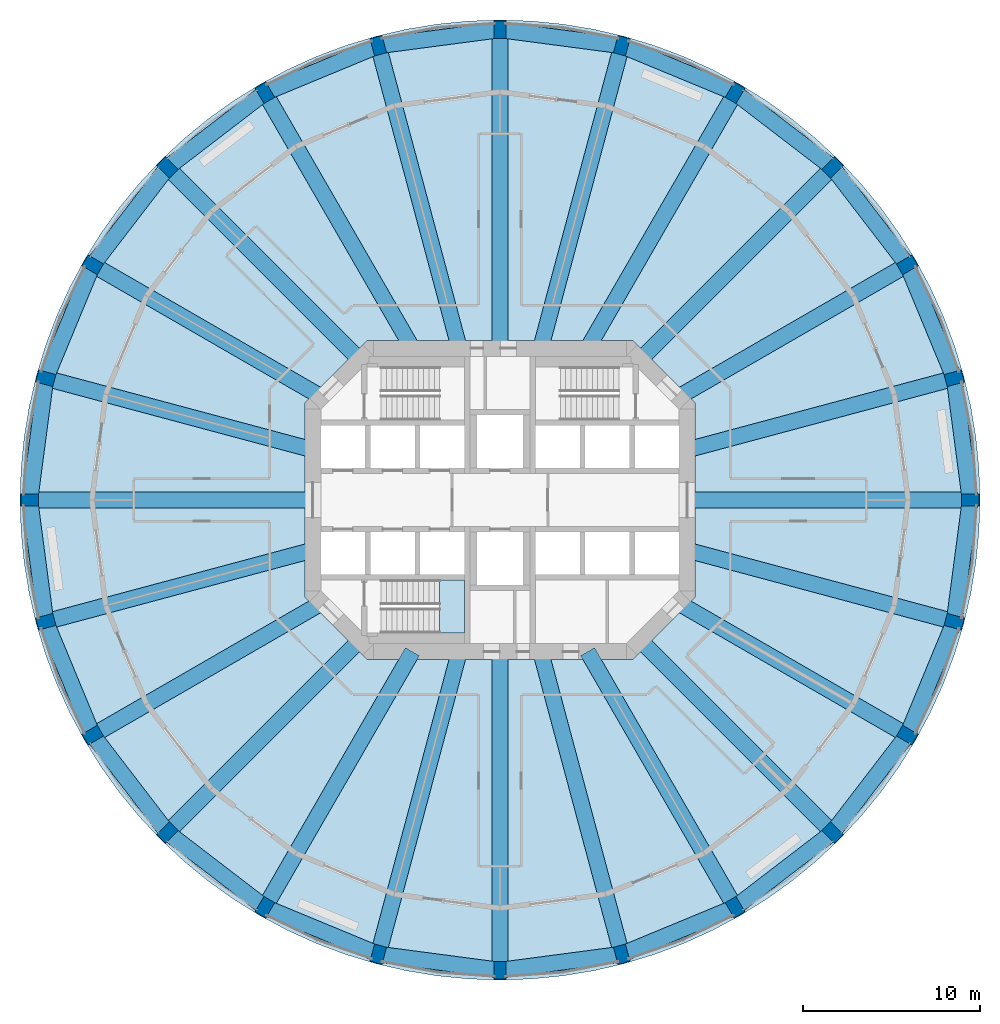
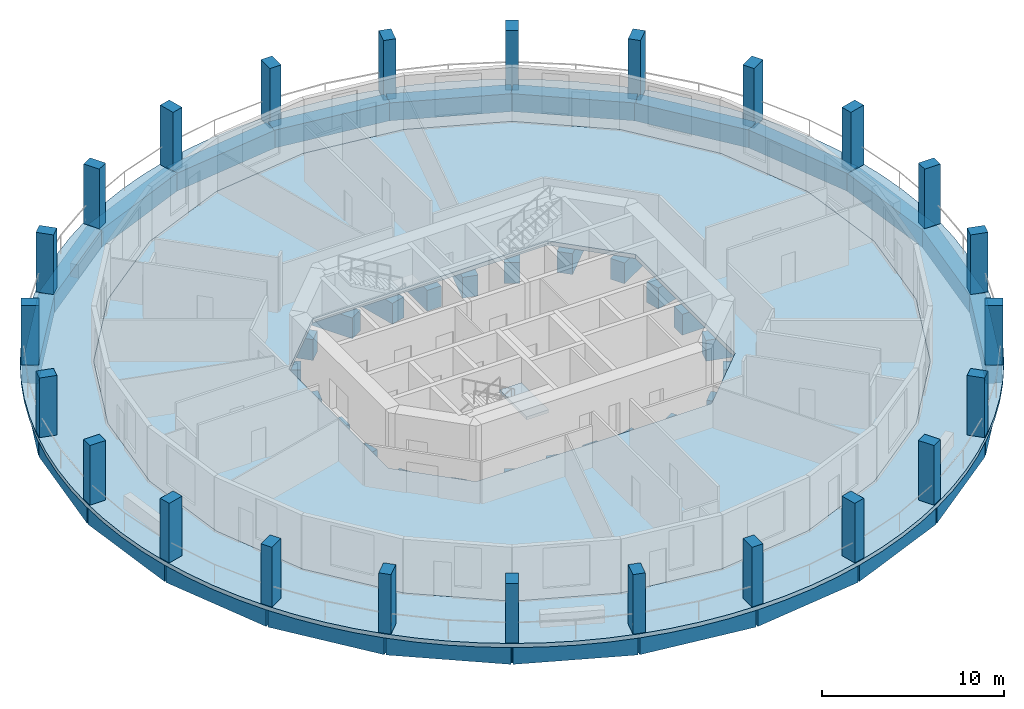
# One storey, part 1 of 9: 48 beams, 24 columns, 3 slabs, 1 element without a shape of its own.
"""IFC4 building model written with IfcOpenShell, lengths in metres."""

from ifc_helpers import new_model, si_unit, direction, frame, origin, origin_2d, place, context, subcontext, project, spatial, polyline, rectangle, outline, extrude, material, layer, layer_set, material_profile, profile_set, type_object, element, aggregate, save


model = new_model("IFC4")

# Units and contexts
model_context = context("Model", 3, precision=1e-05, world=origin(), true_north=direction((0.0, 1.0)))
body_context = subcontext(model_context, "Body", "Model", "MODEL_VIEW")
ifc_project = project(units=[si_unit("LENGTHUNIT", "METRE"), si_unit("AREAUNIT", "SQUARE_METRE"), si_unit("VOLUMEUNIT", "CUBIC_METRE"), si_unit("PLANEANGLEUNIT", "RADIAN"), si_unit("MASSUNIT", "GRAM", prefix="KILO")], contexts=[model_context])

# Site, building, storey
site_placement = place(None, origin())
site = spatial("IfcSite", under=ifc_project, at=site_placement, CompositionType="ELEMENT")
building_placement = place(site_placement, origin())
building = spatial("IfcBuilding", under=site, at=building_placement, Name="Torre Triforio", CompositionType="ELEMENT")
storey_placement = place(building_placement, frame((0.0, 0.0, 27.0)))
storey = spatial("IfcBuildingStorey", under=building, at=storey_placement, Name="L04", CompositionType="ELEMENT", Elevation=27.0)

# Columns
ifc_material_1 = material(Name="Concrete C70", Category="concrete")
ifc_material_profile_1 = material_profile(ifc_material_1, rectangle(XDim=0.699951171875, YDim=1.0, at=origin_2d()), Name="RC 700x1000")
ifc_profile_set_1 = profile_set([ifc_material_profile_1], Name="Concrete C70")
column_type = type_object("IfcColumnType", Name="Pier RC 700x1000 C70", PredefinedType="COLUMN", material=ifc_profile_set_1)
for number, where, z_axis, x_axis, name in (
    (1, (26.5, 0.0, 0.0), (0.0, 0.0, 1.0), (0.0, 1.0, 0.0), "COL.R.L04.00"),
    (2, (25.596923828125, 6.858642578125, 0.0), (0.0, 0.0, 1.0), (-0.258819045103, 0.965925826289, 0.0), "COL.R.L04.01"),
    (3, (22.94970703125, 13.25, 0.0), (0.0, 0.0, 1.0), (-0.5, 0.866025403784, 0.0), "COL.R.L04.02"),
    (4, (18.73828125, 18.73828125, 0.0), (0.0, 0.0, 1.0), (-0.707106781187, 0.707106781187, 0.0), "COL.R.L04.03"),
    (5, (13.25, 22.94970703125, 0.0), (0.0, 0.0, 1.0), (-0.866025403784, 0.5, 0.0), "COL.R.L04.04"),
    (6, (6.858642578125, 25.596923828125, 0.0), (0.0, 0.0, 1.0), (-0.965925826289, 0.258819045103, 0.0), "COL.R.L04.05"),
    (7, (0.0, 26.5, 0.0), (0.0, 0.0, 1.0), (-1.0, 0.0, 0.0), "COL.R.L04.06"),
    (8, (-6.858642578125, 25.596923828125, 0.0), (0.0, 0.0, 1.0), (-0.965925826289, -0.258819045103, 0.0), "COL.R.L04.07"),
    (9, (-13.25, 22.94970703125, 0.0), (0.0, 0.0, 1.0), (-0.866025403784, -0.5, 0.0), "COL.R.L04.08"),
    (10, (-18.73828125, 18.73828125, 0.0), (0.0, 0.0, 1.0), (-0.707106781187, -0.707106781187, 0.0), "COL.R.L04.09"),
    (11, (-22.94970703125, 13.25, 0.0), (0.0, 0.0, 1.0), (-0.5, -0.866025403784, 0.0), "COL.R.L04.10"),
    (12, (-25.596923828125, 6.858642578125, 0.0), (0.0, 0.0, 1.0), (-0.258819045103, -0.965925826289, 0.0), "COL.R.L04.11"),
    (13, (-26.5, 0.0, 0.0), (0.0, 0.0, 1.0), (0.0, -1.0, 0.0), "COL.R.L04.12"),
    (14, (-25.596923828125, -6.858642578125, 0.0), (0.0, 0.0, 1.0), (0.258819045103, -0.965925826289, 0.0), "COL.R.L04.13"),
    (15, (-22.94970703125, -13.25, 0.0), (0.0, 0.0, 1.0), (0.5, -0.866025403784, 0.0), "COL.R.L04.14"),
    (16, (-18.73828125, -18.73828125, 0.0), (0.0, 0.0, 1.0), (0.707106781187, -0.707106781187, 0.0), "COL.R.L04.15"),
    (17, (-13.25, -22.94970703125, 0.0), (0.0, 0.0, 1.0), (0.866025403784, -0.5, 0.0), "COL.R.L04.16"),
    (18, (-6.858642578125, -25.596923828125, 0.0), (0.0, 0.0, 1.0), (0.965925826289, -0.258819045103, 0.0), "COL.R.L04.17"),
    (19, (0.0, -26.5, 0.0), (0.0, 0.0, 1.0), (1.0, 0.0, 0.0), "COL.R.L04.18"),
    (20, (6.858642578125, -25.596923828125, 0.0), (0.0, 0.0, 1.0), (0.965925826289, 0.258819045103, 0.0), "COL.R.L04.19"),
    (21, (13.25, -22.94970703125, 0.0), (0.0, 0.0, 1.0), (0.866025403784, 0.5, 0.0), "COL.R.L04.20"),
    (22, (18.73828125, -18.73828125, 0.0), (0.0, 0.0, 1.0), (0.707106781187, 0.707106781187, 0.0), "COL.R.L04.21"),
    (23, (22.94970703125, -13.25, 0.0), (0.0, 0.0, 1.0), (0.5, 0.866025403784, 0.0), "COL.R.L04.22"),
    (24, (25.596923828125, -6.858642578125, 0.0), (0.0, 0.0, 1.0), (0.258819045103, 0.965925826289, 0.0), "COL.R.L04.23"),
):
    element("IfcColumn", number, at=place(storey_placement, frame(where, z_axis=z_axis, x_axis=x_axis)), inside=storey, type_object=column_type, Name=name, PredefinedType="COLUMN", context=body_context, shape_type="SweptSolid", body=[
        extrude(rectangle(XDim=0.699951171875, YDim=1.0, at=origin_2d()), origin(), (0.0, 0.0, 1.0), 4.0),
    ])

# Beams
ifc_material_2 = material(Name="Concrete C50", Category="concrete")
ifc_material_profile_2 = material_profile(ifc_material_2, rectangle(XDim=0.89990234375, YDim=1.39990234375, at=origin_2d()), Name="RC 900x1400")
ifc_profile_set_2 = profile_set([ifc_material_profile_2], Name="Concrete C50")
beam_type_1 = type_object("IfcBeamType", Name="Radial beam RC 900x1400 C50", PredefinedType="BEAM", material=ifc_profile_set_2)
beam_1_placement = place(storey_placement, frame((10.550048828125, 0.0, -0.97998046875), z_axis=(1.0, 0.0, 0.0), x_axis=(0.0, 1.0, 0.0)))
element("IfcBeam", 25, at=beam_1_placement, inside=storey, type_object=beam_type_1, Name="BM.R.L04.00", PredefinedType="BEAM", context=body_context, shape_type="SweptSolid", body=[
    extrude(rectangle(XDim=0.89990234375, YDim=1.39990234375, at=origin_2d()), origin(), (0.0, 0.0, 1.0), 15.949951171875),
])
beam_2_placement = place(storey_placement, frame((10.550048828125, 2.826904296875, -0.97998046875), z_axis=(0.965926784764, 0.258815467997, 0.0), x_axis=(-0.258815467997, 0.965926784764, 0.0)))
element("IfcBeam", 26, at=beam_2_placement, inside=storey, type_object=beam_type_1, Name="BM.R.L04.01", PredefinedType="BEAM", context=body_context, shape_type="SweptSolid", body=[
    extrude(rectangle(XDim=0.89990234375, YDim=1.39990234375, at=origin_2d()), origin(), (0.0, 0.0, 1.0), 15.57763671875),
])
beam_3_placement = place(storey_placement, frame((10.039794921875, 5.796630859375, -0.97998046875), z_axis=(0.866030402573, 0.499991341745, 0.0), x_axis=(-0.499991341745, 0.866030402573, 0.0)))
element("IfcBeam", 27, at=beam_3_placement, inside=storey, type_object=beam_type_1, Name="BM.R.L04.02", PredefinedType="BEAM", context=body_context, shape_type="SweptSolid", body=[
    extrude(rectangle(XDim=0.89990234375, YDim=1.39990234375, at=origin_2d()), origin(), (0.0, 0.0, 1.0), 14.906982421875),
])
beam_4_placement = place(storey_placement, frame((7.918212890625, 7.918212890625, -0.97998046875), z_axis=(0.707106781187, 0.707106781187, 0.0), x_axis=(-0.707106781187, 0.707106781187, 0.0)))
element("IfcBeam", 28, at=beam_4_placement, inside=storey, type_object=beam_type_1, Name="BM.R.L04.03", PredefinedType="BEAM", context=body_context, shape_type="SweptSolid", body=[
    extrude(rectangle(XDim=0.89990234375, YDim=1.39990234375, at=origin_2d()), origin(), (0.0, 0.0, 1.0), 15.302001953125),
])
beam_5_placement = place(storey_placement, frame((4.936279296875, 8.550048828125, -0.97998046875), z_axis=(0.500003345241, 0.8660234724, 0.0), x_axis=(-0.8660234724, 0.500003345241, 0.0)))
element("IfcBeam", 29, at=beam_5_placement, inside=storey, type_object=beam_type_1, Name="BM.R.L04.04", PredefinedType="BEAM", context=body_context, shape_type="SweptSolid", body=[
    extrude(rectangle(XDim=0.89990234375, YDim=1.39990234375, at=origin_2d()), origin(), (0.0, 0.0, 1.0), 16.62744140625),
])
beam_6_placement = place(storey_placement, frame((2.291015625, 8.550048828125, -0.97998046875), z_axis=(0.258815374176, 0.965926809903, 0.0), x_axis=(-0.965926809903, 0.258815374176, 0.0)))
element("IfcBeam", 30, at=beam_6_placement, inside=storey, type_object=beam_type_1, Name="BM.R.L04.05", PredefinedType="BEAM", context=body_context, shape_type="SweptSolid", body=[
    extrude(rectangle(XDim=0.89990234375, YDim=1.39990234375, at=origin_2d()), origin(), (0.0, 0.0, 1.0), 17.648193359375),
])
beam_7_placement = place(storey_placement, frame((0.0, 8.550048828125, -0.97998046875), z_axis=(0.0, 1.0, 0.0), x_axis=(-1.0, 0.0, 0.0)))
element("IfcBeam", 31, at=beam_7_placement, inside=storey, type_object=beam_type_1, Name="BM.R.L04.06", PredefinedType="BEAM", context=body_context, shape_type="SweptSolid", body=[
    extrude(rectangle(XDim=0.89990234375, YDim=1.39990234375, at=origin_2d()), origin(), (0.0, 0.0, 1.0), 17.949951171875),
])
beam_8_placement = place(storey_placement, frame((-2.291015625, 8.550048828125, -0.97998046875), z_axis=(-0.258815374176, 0.965926809903, 0.0), x_axis=(-0.965926809903, -0.258815374176, 0.0)))
element("IfcBeam", 32, at=beam_8_placement, inside=storey, type_object=beam_type_1, Name="BM.R.L04.07", PredefinedType="BEAM", context=body_context, shape_type="SweptSolid", body=[
    extrude(rectangle(XDim=0.89990234375, YDim=1.39990234375, at=origin_2d()), origin(), (0.0, 0.0, 1.0), 17.648193359375),
])
beam_9_placement = place(storey_placement, frame((-4.936279296875, 8.550048828125, -0.97998046875), z_axis=(-0.500003345241, 0.8660234724, 0.0), x_axis=(-0.8660234724, -0.500003345241, 0.0)))
element("IfcBeam", 33, at=beam_9_placement, inside=storey, type_object=beam_type_1, Name="BM.R.L04.08", PredefinedType="BEAM", context=body_context, shape_type="SweptSolid", body=[
    extrude(rectangle(XDim=0.89990234375, YDim=1.39990234375, at=origin_2d()), origin(), (0.0, 0.0, 1.0), 16.62744140625),
])
beam_10_placement = place(storey_placement, frame((-7.918212890625, 7.918212890625, -0.97998046875), z_axis=(-0.707106781187, 0.707106781187, 0.0), x_axis=(-0.707106781187, -0.707106781187, 0.0)))
element("IfcBeam", 34, at=beam_10_placement, inside=storey, type_object=beam_type_1, Name="BM.R.L04.09", PredefinedType="BEAM", context=body_context, shape_type="SweptSolid", body=[
    extrude(rectangle(XDim=0.89990234375, YDim=1.39990234375, at=origin_2d()), origin(), (0.0, 0.0, 1.0), 15.302001953125),
])
beam_11_placement = place(storey_placement, frame((-10.039794921875, 5.796630859375, -0.97998046875), z_axis=(-0.866030402573, 0.499991341745, 0.0), x_axis=(-0.499991341745, -0.866030402573, 0.0)))
element("IfcBeam", 35, at=beam_11_placement, inside=storey, type_object=beam_type_1, Name="BM.R.L04.10", PredefinedType="BEAM", context=body_context, shape_type="SweptSolid", body=[
    extrude(rectangle(XDim=0.89990234375, YDim=1.39990234375, at=origin_2d()), origin(), (0.0, 0.0, 1.0), 14.906982421875),
])
beam_12_placement = place(storey_placement, frame((-10.550048828125, 2.826904296875, -0.97998046875), z_axis=(-0.965926784764, 0.258815467997, 0.0), x_axis=(-0.258815467997, -0.965926784764, 0.0)))
element("IfcBeam", 36, at=beam_12_placement, inside=storey, type_object=beam_type_1, Name="BM.R.L04.11", PredefinedType="BEAM", context=body_context, shape_type="SweptSolid", body=[
    extrude(rectangle(XDim=0.89990234375, YDim=1.39990234375, at=origin_2d()), origin(), (0.0, 0.0, 1.0), 15.57763671875),
])
beam_13_placement = place(storey_placement, frame((-10.550048828125, 0.0, -0.97998046875), z_axis=(-1.0, 0.0, 0.0), x_axis=(0.0, -1.0, 0.0)))
element("IfcBeam", 37, at=beam_13_placement, inside=storey, type_object=beam_type_1, Name="BM.R.L04.12", PredefinedType="BEAM", context=body_context, shape_type="SweptSolid", body=[
    extrude(rectangle(XDim=0.89990234375, YDim=1.39990234375, at=origin_2d()), origin(), (0.0, 0.0, 1.0), 15.949951171875),
])
beam_14_placement = place(storey_placement, frame((-10.550048828125, -2.826904296875, -0.97998046875), z_axis=(-0.965926784764, -0.258815467997, 0.0), x_axis=(0.258815467997, -0.965926784764, 0.0)))
element("IfcBeam", 38, at=beam_14_placement, inside=storey, type_object=beam_type_1, Name="BM.R.L04.13", PredefinedType="BEAM", context=body_context, shape_type="SweptSolid", body=[
    extrude(rectangle(XDim=0.89990234375, YDim=1.39990234375, at=origin_2d()), origin(), (0.0, 0.0, 1.0), 15.57763671875),
])
beam_15_placement = place(storey_placement, frame((-10.039794921875, -5.796630859375, -0.97998046875), z_axis=(-0.866030402573, -0.499991341745, 0.0), x_axis=(0.499991341745, -0.866030402573, 0.0)))
element("IfcBeam", 39, at=beam_15_placement, inside=storey, type_object=beam_type_1, Name="BM.R.L04.14", PredefinedType="BEAM", context=body_context, shape_type="SweptSolid", body=[
    extrude(rectangle(XDim=0.89990234375, YDim=1.39990234375, at=origin_2d()), origin(), (0.0, 0.0, 1.0), 14.906982421875),
])
beam_16_placement = place(storey_placement, frame((-7.918212890625, -7.918212890625, -0.97998046875), z_axis=(-0.707106781187, -0.707106781187, 0.0), x_axis=(0.707106781187, -0.707106781187, 0.0)))
element("IfcBeam", 40, at=beam_16_placement, inside=storey, type_object=beam_type_1, Name="BM.R.L04.15", PredefinedType="BEAM", context=body_context, shape_type="SweptSolid", body=[
    extrude(rectangle(XDim=0.89990234375, YDim=1.39990234375, at=origin_2d()), origin(), (0.0, 0.0, 1.0), 15.302001953125),
])
beam_17_placement = place(storey_placement, frame((-4.936279296875, -8.550048828125, -0.97998046875), z_axis=(-0.500003345241, -0.8660234724, 0.0), x_axis=(0.8660234724, -0.500003345241, 0.0)))
element("IfcBeam", 41, at=beam_17_placement, inside=storey, type_object=beam_type_1, Name="BM.R.L04.16", PredefinedType="BEAM", context=body_context, shape_type="SweptSolid", body=[
    extrude(rectangle(XDim=0.89990234375, YDim=1.39990234375, at=origin_2d()), origin(), (0.0, 0.0, 1.0), 16.62744140625),
])
beam_18_placement = place(storey_placement, frame((-2.291015625, -8.550048828125, -0.97998046875), z_axis=(-0.258815374176, -0.965926809903, 0.0), x_axis=(0.965926809903, -0.258815374176, 0.0)))
element("IfcBeam", 42, at=beam_18_placement, inside=storey, type_object=beam_type_1, Name="BM.R.L04.17", PredefinedType="BEAM", context=body_context, shape_type="SweptSolid", body=[
    extrude(rectangle(XDim=0.89990234375, YDim=1.39990234375, at=origin_2d()), origin(), (0.0, 0.0, 1.0), 17.648193359375),
])
beam_19_placement = place(storey_placement, frame((0.0, -8.550048828125, -0.97998046875), z_axis=(0.0, -1.0, 0.0), x_axis=(1.0, 0.0, 0.0)))
element("IfcBeam", 43, at=beam_19_placement, inside=storey, type_object=beam_type_1, Name="BM.R.L04.18", PredefinedType="BEAM", context=body_context, shape_type="SweptSolid", body=[
    extrude(rectangle(XDim=0.89990234375, YDim=1.39990234375, at=origin_2d()), origin(), (0.0, 0.0, 1.0), 17.949951171875),
])
beam_20_placement = place(storey_placement, frame((2.291015625, -8.550048828125, -0.97998046875), z_axis=(0.258815374176, -0.965926809903, 0.0), x_axis=(0.965926809903, 0.258815374176, 0.0)))
element("IfcBeam", 44, at=beam_20_placement, inside=storey, type_object=beam_type_1, Name="BM.R.L04.19", PredefinedType="BEAM", context=body_context, shape_type="SweptSolid", body=[
    extrude(rectangle(XDim=0.89990234375, YDim=1.39990234375, at=origin_2d()), origin(), (0.0, 0.0, 1.0), 17.648193359375),
])
beam_21_placement = place(storey_placement, frame((4.936279296875, -8.550048828125, -0.97998046875), z_axis=(0.500003345241, -0.8660234724, 0.0), x_axis=(0.8660234724, 0.500003345241, 0.0)))
element("IfcBeam", 45, at=beam_21_placement, inside=storey, type_object=beam_type_1, Name="BM.R.L04.20", PredefinedType="BEAM", context=body_context, shape_type="SweptSolid", body=[
    extrude(rectangle(XDim=0.89990234375, YDim=1.39990234375, at=origin_2d()), origin(), (0.0, 0.0, 1.0), 16.62744140625),
])
beam_22_placement = place(storey_placement, frame((7.918212890625, -7.918212890625, -0.97998046875), z_axis=(0.707106781187, -0.707106781187, 0.0), x_axis=(0.707106781187, 0.707106781187, 0.0)))
element("IfcBeam", 46, at=beam_22_placement, inside=storey, type_object=beam_type_1, Name="BM.R.L04.21", PredefinedType="BEAM", context=body_context, shape_type="SweptSolid", body=[
    extrude(rectangle(XDim=0.89990234375, YDim=1.39990234375, at=origin_2d()), origin(), (0.0, 0.0, 1.0), 15.302001953125),
])
beam_23_placement = place(storey_placement, frame((10.039794921875, -5.796630859375, -0.97998046875), z_axis=(0.866030402573, -0.499991341745, 0.0), x_axis=(0.499991341745, 0.866030402573, 0.0)))
element("IfcBeam", 47, at=beam_23_placement, inside=storey, type_object=beam_type_1, Name="BM.R.L04.22", PredefinedType="BEAM", context=body_context, shape_type="SweptSolid", body=[
    extrude(rectangle(XDim=0.89990234375, YDim=1.39990234375, at=origin_2d()), origin(), (0.0, 0.0, 1.0), 14.906982421875),
])
beam_24_placement = place(storey_placement, frame((10.550048828125, -2.826904296875, -0.97998046875), z_axis=(0.965926784764, -0.258815467997, 0.0), x_axis=(0.258815467997, 0.965926784764, 0.0)))
element("IfcBeam", 48, at=beam_24_placement, inside=storey, type_object=beam_type_1, Name="BM.R.L04.23", PredefinedType="BEAM", context=body_context, shape_type="SweptSolid", body=[
    extrude(rectangle(XDim=0.89990234375, YDim=1.39990234375, at=origin_2d()), origin(), (0.0, 0.0, 1.0), 15.57763671875),
])
ifc_material_profile_3 = material_profile(ifc_material_2, rectangle(XDim=0.89990234375, YDim=1.199951171875, at=origin_2d()), Name="RC 900x1200")
ifc_profile_set_3 = profile_set([ifc_material_profile_3], Name="Concrete C50")
beam_type_2 = type_object("IfcBeamType", Name="Spandrel beam RC 900x1200 C50", PredefinedType="SPANDREL", material=ifc_profile_set_3)
beam_25_placement = place(storey_placement, frame((26.5, 0.0, -0.8798828125), z_axis=(-0.130543064996, 0.991442639885, 0.0), x_axis=(-0.991442639885, -0.130543064996, 0.0)))
element("IfcBeam", 49, at=beam_25_placement, inside=storey, type_object=beam_type_2, Name="BM.S.L04.00", PredefinedType="SPANDREL", context=body_context, shape_type="SweptSolid", body=[
    extrude(rectangle(XDim=0.89990234375, YDim=1.199951171875, at=origin_2d()), origin(), (0.0, 0.0, 1.0), 6.917724609375),
])
for number, where, z_axis, x_axis, name in (
    (50, (25.596923828125, 6.858642578125, -0.8798828125), (-0.382662441128, 0.923888227087, 0.0), (-0.923888227087, -0.382662441128, 0.0), "BM.S.L04.01"),
    (51, (22.94970703125, 13.25, -0.8798828125), (-0.608772297796, 0.793345000259, 0.0), (-0.793345000259, -0.608772297796, 0.0), "BM.S.L04.02"),
    (52, (18.73828125, 18.73828125, -0.8798828125), (-0.793345000259, 0.608772297796, 0.0), (-0.608772297796, -0.793345000259, 0.0), "BM.S.L04.03"),
    (53, (13.25, 22.94970703125, -0.8798828125), (-0.923888227087, 0.382662441128, 0.0), (-0.382662441128, -0.923888227087, 0.0), "BM.S.L04.04"),
):
    element("IfcBeam", number, at=place(storey_placement, frame(where, z_axis=z_axis, x_axis=x_axis)), inside=storey, type_object=beam_type_2, Name=name, PredefinedType="SPANDREL", context=body_context, shape_type="SweptSolid", body=[
        extrude(rectangle(XDim=0.89990234375, YDim=1.199951171875, at=origin_2d()), origin(), (0.0, 0.0, 1.0), 6.91796875),
    ])
for number, where, z_axis, x_axis, name in (
    (54, (6.858642578125, 25.596923828125, -0.8798828125), (-0.991442639885, 0.130543064996, 0.0), (-0.130543064996, -0.991442639885, 0.0), "BM.S.L04.05"),
    (55, (0.0, 26.5, -0.8798828125), (-0.991442639885, -0.130543064996, 0.0), (0.130543064996, -0.991442639885, 0.0), "BM.S.L04.06"),
):
    element("IfcBeam", number, at=place(storey_placement, frame(where, z_axis=z_axis, x_axis=x_axis)), inside=storey, type_object=beam_type_2, Name=name, PredefinedType="SPANDREL", context=body_context, shape_type="SweptSolid", body=[
        extrude(rectangle(XDim=0.89990234375, YDim=1.199951171875, at=origin_2d()), origin(), (0.0, 0.0, 1.0), 6.917724609375),
    ])
for number, where, z_axis, x_axis, name in (
    (56, (-6.858642578125, 25.596923828125, -0.8798828125), (-0.923888227087, -0.382662441128, 0.0), (0.382662441128, -0.923888227087, 0.0), "BM.S.L04.07"),
    (57, (-13.25, 22.94970703125, -0.8798828125), (-0.793345000259, -0.608772297796, 0.0), (0.608772297796, -0.793345000259, 0.0), "BM.S.L04.08"),
    (58, (-18.73828125, 18.73828125, -0.8798828125), (-0.608772297796, -0.793345000259, 0.0), (0.793345000259, -0.608772297796, 0.0), "BM.S.L04.09"),
    (59, (-22.94970703125, 13.25, -0.8798828125), (-0.382662441128, -0.923888227087, 0.0), (0.923888227087, -0.382662441128, 0.0), "BM.S.L04.10"),
):
    element("IfcBeam", number, at=place(storey_placement, frame(where, z_axis=z_axis, x_axis=x_axis)), inside=storey, type_object=beam_type_2, Name=name, PredefinedType="SPANDREL", context=body_context, shape_type="SweptSolid", body=[
        extrude(rectangle(XDim=0.89990234375, YDim=1.199951171875, at=origin_2d()), origin(), (0.0, 0.0, 1.0), 6.91796875),
    ])
for number, where, z_axis, x_axis, name in (
    (60, (-25.596923828125, 6.858642578125, -0.8798828125), (-0.130543064996, -0.991442639885, 0.0), (0.991442639885, -0.130543064996, 0.0), "BM.S.L04.11"),
    (61, (-26.5, 0.0, -0.8798828125), (0.130543064996, -0.991442639885, 0.0), (0.991442639885, 0.130543064996, 0.0), "BM.S.L04.12"),
):
    element("IfcBeam", number, at=place(storey_placement, frame(where, z_axis=z_axis, x_axis=x_axis)), inside=storey, type_object=beam_type_2, Name=name, PredefinedType="SPANDREL", context=body_context, shape_type="SweptSolid", body=[
        extrude(rectangle(XDim=0.89990234375, YDim=1.199951171875, at=origin_2d()), origin(), (0.0, 0.0, 1.0), 6.917724609375),
    ])
for number, where, z_axis, x_axis, name in (
    (62, (-25.596923828125, -6.858642578125, -0.8798828125), (0.382662441128, -0.923888227087, 0.0), (0.923888227087, 0.382662441128, 0.0), "BM.S.L04.13"),
    (63, (-22.94970703125, -13.25, -0.8798828125), (0.608772297796, -0.793345000259, 0.0), (0.793345000259, 0.608772297796, 0.0), "BM.S.L04.14"),
    (64, (-18.73828125, -18.73828125, -0.8798828125), (0.793345000259, -0.608772297796, 0.0), (0.608772297796, 0.793345000259, 0.0), "BM.S.L04.15"),
    (65, (-13.25, -22.94970703125, -0.8798828125), (0.923888227087, -0.382662441128, 0.0), (0.382662441128, 0.923888227087, 0.0), "BM.S.L04.16"),
):
    element("IfcBeam", number, at=place(storey_placement, frame(where, z_axis=z_axis, x_axis=x_axis)), inside=storey, type_object=beam_type_2, Name=name, PredefinedType="SPANDREL", context=body_context, shape_type="SweptSolid", body=[
        extrude(rectangle(XDim=0.89990234375, YDim=1.199951171875, at=origin_2d()), origin(), (0.0, 0.0, 1.0), 6.91796875),
    ])
for number, where, z_axis, x_axis, name in (
    (66, (-6.858642578125, -25.596923828125, -0.8798828125), (0.991442639885, -0.130543064996, 0.0), (0.130543064996, 0.991442639885, 0.0), "BM.S.L04.17"),
    (67, (0.0, -26.5, -0.8798828125), (0.991442639885, 0.130543064996, 0.0), (-0.130543064996, 0.991442639885, 0.0), "BM.S.L04.18"),
):
    element("IfcBeam", number, at=place(storey_placement, frame(where, z_axis=z_axis, x_axis=x_axis)), inside=storey, type_object=beam_type_2, Name=name, PredefinedType="SPANDREL", context=body_context, shape_type="SweptSolid", body=[
        extrude(rectangle(XDim=0.89990234375, YDim=1.199951171875, at=origin_2d()), origin(), (0.0, 0.0, 1.0), 6.917724609375),
    ])
for number, where, z_axis, x_axis, name in (
    (68, (6.858642578125, -25.596923828125, -0.8798828125), (0.923888227087, 0.382662441128, 0.0), (-0.382662441128, 0.923888227087, 0.0), "BM.S.L04.19"),
    (69, (13.25, -22.94970703125, -0.8798828125), (0.793345000259, 0.608772297796, 0.0), (-0.608772297796, 0.793345000259, 0.0), "BM.S.L04.20"),
    (70, (18.73828125, -18.73828125, -0.8798828125), (0.608772297796, 0.793345000259, 0.0), (-0.793345000259, 0.608772297796, 0.0), "BM.S.L04.21"),
    (71, (22.94970703125, -13.25, -0.8798828125), (0.382662441128, 0.923888227087, 0.0), (-0.923888227087, 0.382662441128, 0.0), "BM.S.L04.22"),
):
    element("IfcBeam", number, at=place(storey_placement, frame(where, z_axis=z_axis, x_axis=x_axis)), inside=storey, type_object=beam_type_2, Name=name, PredefinedType="SPANDREL", context=body_context, shape_type="SweptSolid", body=[
        extrude(rectangle(XDim=0.89990234375, YDim=1.199951171875, at=origin_2d()), origin(), (0.0, 0.0, 1.0), 6.91796875),
    ])
beam_26_placement = place(storey_placement, frame((25.596923828125, -6.858642578125, -0.8798828125), z_axis=(0.130543064996, 0.991442639885, 0.0), x_axis=(-0.991442639885, 0.130543064996, 0.0)))
element("IfcBeam", 72, at=beam_26_placement, inside=storey, type_object=beam_type_2, Name="BM.S.L04.23", PredefinedType="SPANDREL", context=body_context, shape_type="SweptSolid", body=[
    extrude(rectangle(XDim=0.89990234375, YDim=1.199951171875, at=origin_2d()), origin(), (0.0, 0.0, 1.0), 6.917724609375),
])

# Slabs
ifc_layer_1 = layer(ifc_material_2, 0.280029296875)
ifc_layer_set_1 = layer_set([ifc_layer_1], Name="Concrete C50")
slab_type_1 = type_object("IfcSlabType", Name="Floor slab 280 C50", PredefinedType="FLOOR", material=ifc_layer_set_1)
slab_1_placement = place(storey_placement, frame((0.0, 0.0, -0.280029296875)))
element("IfcSlab", 73, at=slab_1_placement, inside=storey, type_object=slab_type_1, Name="SL.L04", PredefinedType="FLOOR", context=body_context, shape_type="SweptSolid", body=[
    extrude(outline(polyline([(19.918701171875, -11.5), (22.21630859375, -5.952880859375), (23.0, 0.0), (22.21630859375, 5.952880859375), (19.918701171875, 11.5), (16.263427734375, 16.263427734375), (11.5, 19.918701171875), (5.952880859375, 22.21630859375), (0.0, 23.0), (-5.952880859375, 22.21630859375), (-11.5, 19.918701171875), (-16.263427734375, 16.263427734375), (-19.918701171875, 11.5), (-22.21630859375, 5.952880859375), (-23.0, 0.0), (-22.21630859375, -5.952880859375), (-19.918701171875, -11.5), (-16.263427734375, -16.263427734375), (-11.5, -19.918701171875), (-5.952880859375, -22.21630859375), (0.0, -23.0), (5.952880859375, -22.21630859375), (11.5, -19.918701171875), (16.263427734375, -16.263427734375), (19.918701171875, -11.5)]), holes=[polyline([(11.0, 5.472900390625), (11.0, -5.472900390625), (7.472900390625, -9.0), (-7.472900390625, -9.0), (-11.0, -5.472900390625), (-11.0, 5.472900390625), (-7.472900390625, 9.0), (7.472900390625, 9.0), (11.0, 5.472900390625)])]), origin(), (0.0, 0.0, 1.0), 0.280029296875),
])
ifc_layer_2 = layer(ifc_material_2, 0.280029296875)
ifc_layer_set_2 = layer_set([ifc_layer_2], Name="Concrete C50")
slab_type_2 = type_object("IfcSlabType", Name="Loggia slab 280 C50", PredefinedType="FLOOR", material=ifc_layer_set_2)
slab_2_placement = place(storey_placement, frame((0.0, 0.0, -0.280029296875)))
element("IfcSlab", 74, at=slab_2_placement, inside=storey, type_object=slab_type_2, Name="SL.L04.LG", PredefinedType="FLOOR", context=body_context, shape_type="SweptSolid", body=[
    extrude(outline(polyline([(26.9921875, -1.76904296875), (27.050048828125, 0.0), (26.9921875, 1.76904296875), (26.818603515625, 3.53076171875), (26.5302734375, 5.277099609375), (26.128173828125, 7.0009765625), (25.614501953125, 8.69482421875), (24.990966796875, 10.3515625), (24.260498046875, 11.9638671875), (23.426025390625, 13.52490234375), (22.4912109375, 15.028076171875), (21.460205078125, 16.467041015625), (20.337158203125, 17.835205078125), (19.127197265625, 19.127197265625), (17.835205078125, 20.337158203125), (16.467041015625, 21.460205078125), (15.028076171875, 22.4912109375), (13.52490234375, 23.426025390625), (11.9638671875, 24.260498046875), (10.3515625, 24.990966796875), (8.69482421875, 25.614501953125), (7.0009765625, 26.128173828125), (5.277099609375, 26.5302734375), (3.53076171875, 26.818603515625), (1.76904296875, 26.9921875), (0.0, 27.050048828125), (-1.76904296875, 26.9921875), (-3.53076171875, 26.818603515625), (-5.277099609375, 26.5302734375), (-7.0009765625, 26.128173828125), (-8.69482421875, 25.614501953125), (-10.3515625, 24.990966796875), (-11.9638671875, 24.260498046875), (-13.52490234375, 23.426025390625), (-15.028076171875, 22.4912109375), (-16.467041015625, 21.460205078125), (-17.835205078125, 20.337158203125), (-19.127197265625, 19.127197265625), (-20.337158203125, 17.835205078125), (-21.460205078125, 16.467041015625), (-22.4912109375, 15.028076171875), (-23.426025390625, 13.52490234375), (-24.260498046875, 11.9638671875), (-24.990966796875, 10.3515625), (-25.614501953125, 8.69482421875), (-26.128173828125, 7.0009765625), (-26.5302734375, 5.277099609375), (-26.818603515625, 3.53076171875), (-26.9921875, 1.76904296875), (-27.050048828125, 0.0), (-26.9921875, -1.76904296875), (-26.818603515625, -3.53076171875), (-26.5302734375, -5.277099609375), (-26.128173828125, -7.0009765625), (-25.614501953125, -8.69482421875), (-24.990966796875, -10.3515625), (-24.260498046875, -11.9638671875), (-23.426025390625, -13.52490234375), (-22.4912109375, -15.028076171875), (-21.460205078125, -16.467041015625), (-20.337158203125, -17.835205078125), (-19.127197265625, -19.127197265625), (-17.835205078125, -20.337158203125), (-16.467041015625, -21.460205078125), (-15.028076171875, -22.4912109375), (-13.52490234375, -23.426025390625), (-11.9638671875, -24.260498046875), (-10.3515625, -24.990966796875), (-8.69482421875, -25.614501953125), (-7.0009765625, -26.128173828125), (-5.277099609375, -26.5302734375), (-3.53076171875, -26.818603515625), (-1.76904296875, -26.9921875), (0.0, -27.050048828125), (1.76904296875, -26.9921875), (3.53076171875, -26.818603515625), (5.277099609375, -26.5302734375), (7.0009765625, -26.128173828125), (8.69482421875, -25.614501953125), (10.3515625, -24.990966796875), (11.9638671875, -24.260498046875), (13.52490234375, -23.426025390625), (15.028076171875, -22.4912109375), (16.467041015625, -21.460205078125), (17.835205078125, -20.337158203125), (19.127197265625, -19.127197265625), (20.337158203125, -17.835205078125), (21.460205078125, -16.467041015625), (22.4912109375, -15.028076171875), (23.426025390625, -13.52490234375), (24.260498046875, -11.9638671875), (24.990966796875, -10.3515625), (25.614501953125, -8.69482421875), (26.128173828125, -7.0009765625), (26.5302734375, -5.277099609375), (26.818603515625, -3.53076171875), (26.9921875, -1.76904296875)]), holes=[polyline([(22.21630859375, 5.952880859375), (23.0, 0.0), (22.21630859375, -5.952880859375), (19.918701171875, -11.5), (16.263427734375, -16.263427734375), (11.5, -19.918701171875), (5.952880859375, -22.21630859375), (0.0, -23.0), (-5.952880859375, -22.21630859375), (-11.5, -19.918701171875), (-16.263427734375, -16.263427734375), (-19.918701171875, -11.5), (-22.21630859375, -5.952880859375), (-23.0, 0.0), (-22.21630859375, 5.952880859375), (-19.918701171875, 11.5), (-16.263427734375, 16.263427734375), (-11.5, 19.918701171875), (-5.952880859375, 22.21630859375), (0.0, 23.0), (5.952880859375, 22.21630859375), (11.5, 19.918701171875), (16.263427734375, 16.263427734375), (19.918701171875, 11.5), (22.21630859375, 5.952880859375)])]), origin(), (0.0, 0.0, 1.0), 0.280029296875),
])

# Stair, slab
ifc_material_3 = material(Name="Concrete C40", Category="concrete")
stair_type = type_object("IfcStairType", Name="STAIR HALF-TURN", PredefinedType="HALF_TURN_STAIR", material=ifc_material_3)
stair_placement = place(storey_placement, origin())
stair = element("IfcStair", 75, at=stair_placement, inside=storey, type_object=stair_type, Name="Exit stair 3", PredefinedType="HALF_TURN_STAIR")
ifc_layer_3 = layer(ifc_material_3, 0.199951171875)
ifc_layer_set_3 = layer_set([ifc_layer_3], Name="Concrete C40")
slab_type_3 = type_object("IfcSlabType", Name="STAIR LANDING 200", PredefinedType="LANDING", material=ifc_layer_set_3)
slab_3_placement = place(storey_placement, frame((0.0, 0.0, 1.800048828125)))
slab_3 = element("IfcSlab", 76, at=slab_3_placement, type_object=slab_type_3, Name="ST3 landing 1", PredefinedType="LANDING", context=body_context, shape_type="SweptSolid", body=[
    extrude(outline(polyline([(-2.0, -7.5), (-2.0, -4.5), (-3.39990234375, -4.5), (-3.39990234375, -7.5), (-2.0, -7.5)])), origin(), (0.0, 0.0, 1.0), 0.199951171875),
])
aggregate(stair, [slab_3])

save(model, "model.ifc")
